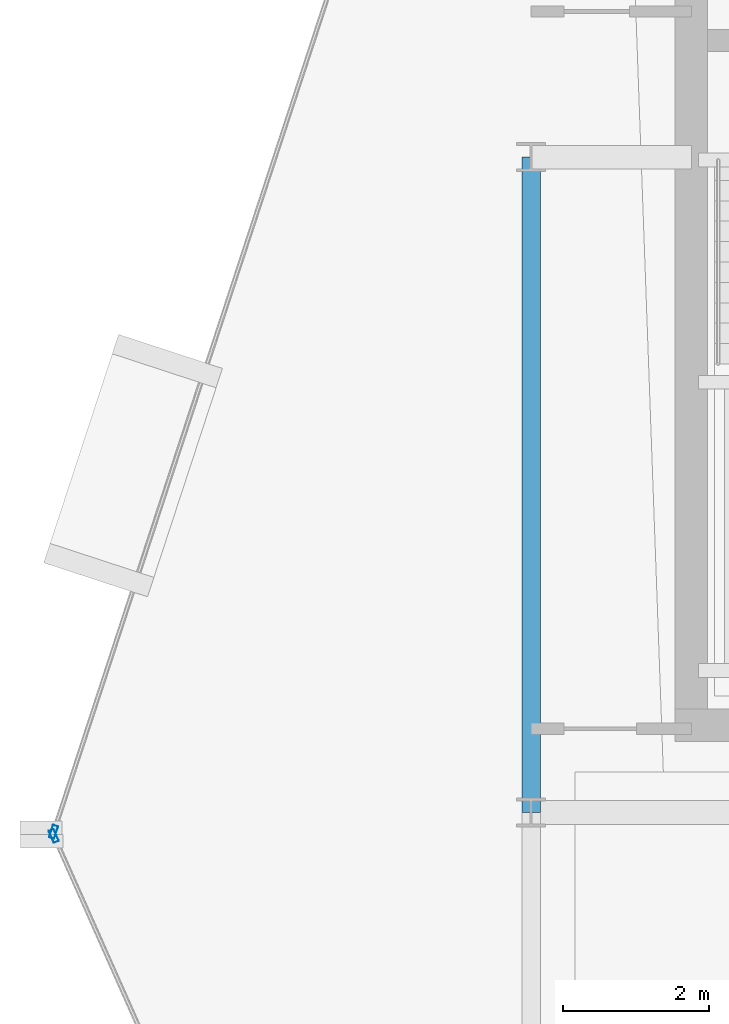
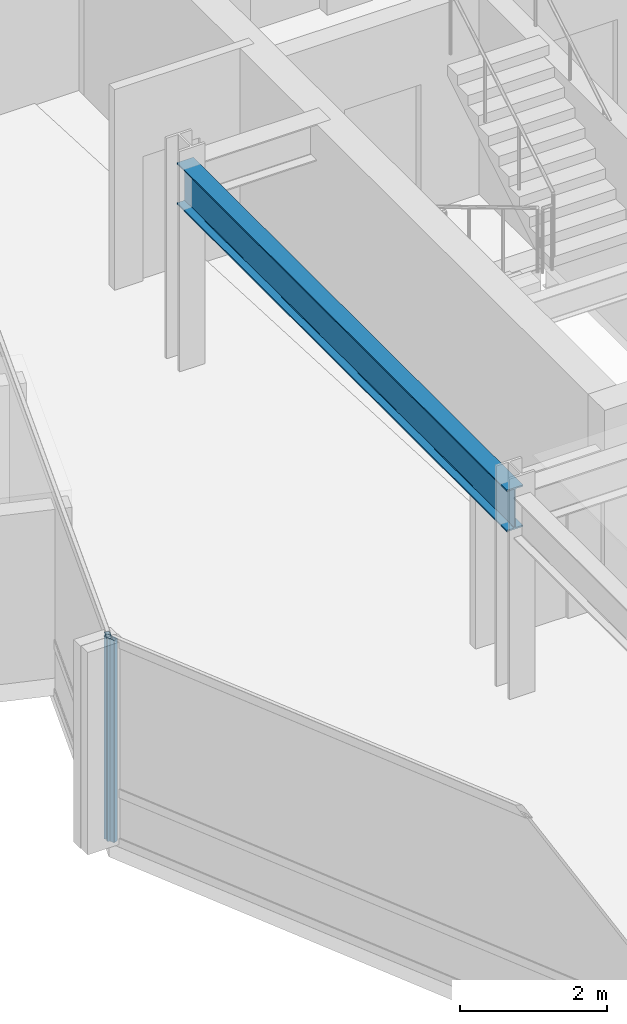
# One storey, part 6 of 27: 2 members, 1 beam, 2 elements without a shape of their own.
"""IFC4 building model written with IfcOpenShell, lengths in metres."""

from ifc_helpers import new_model, si_unit, direction, frame, origin, origin_2d, place, context, subcontext, project, spatial, hollow_rectangle, i_section, extrude, material, layer, layer_set, material_profile, profile_set, type_object, element, aggregate, save


model = new_model("IFC4")

# Units and contexts
model_context = context("Model", 3, precision=1e-05, world=origin(), true_north=direction((0.0, 1.0)))
body_context = subcontext(model_context, "Body", "Model", "MODEL_VIEW")
ifc_project = project(units=[si_unit("LENGTHUNIT", "METRE"), si_unit("AREAUNIT", "SQUARE_METRE"), si_unit("VOLUMEUNIT", "CUBIC_METRE"), si_unit("PLANEANGLEUNIT", "RADIAN"), si_unit("MASSUNIT", "GRAM", prefix="KILO")], contexts=[model_context])

# Site, building, storey
site_placement = place(None, origin())
site = spatial("IfcSite", under=ifc_project, at=site_placement, CompositionType="ELEMENT")
building_placement = place(site_placement, origin())
building = spatial("IfcBuilding", under=site, at=building_placement, Name="Solvaryn Broadcast Tower", CompositionType="ELEMENT")
storey_placement = place(building_placement, frame((0.0, 0.0, 232.10009765625)))
storey = spatial("IfcBuildingStorey", under=building, at=storey_placement, Name="L58", CompositionType="ELEMENT", Elevation=232.10009765625)

# Beam
ifc_material_1 = material(Name="Steel ASTM A992 Grade 50", Category="steel")
ifc_material_profile_1 = material_profile(ifc_material_1, i_section(OverallWidth=0.256103515625, OverallDepth=0.693115234375, WebThickness=0.014404296875, FlangeThickness=0.023681640625, FilletRadius=0.01611328125, at=origin_2d()))
ifc_profile_set_1 = profile_set([ifc_material_profile_1], Name="Steel ASTM A992 Grade 50")
beam_type = type_object("IfcBeamType", Name="BM-SP3-W27X114", PredefinedType="USERDEFINED", material=ifc_profile_set_1)
beam_placement = place(storey_placement, frame((9.0, 27.0, 3.0234375), z_axis=(0.0, 1.0, 0.0), x_axis=(-1.0, 0.0, 0.0)))
element("IfcBeam", 1, at=beam_placement, inside=storey, type_object=beam_type, Name="L58 Spandrel Beam Y (27-36 @ X=9)", ObjectType="SPANDREL", PredefinedType="USERDEFINED", context=body_context, shape_type="SweptSolid", body=[
    extrude(i_section(OverallWidth=0.256103515625, OverallDepth=0.693115234375, WebThickness=0.014404296875, FlangeThickness=0.023681640625, FilletRadius=0.01611328125, at=origin_2d()), origin(), (0.0, 0.0, 1.0), 9.0),
])

# Curtain wall, member
ifc_material_2 = material(Name="Aluminium and Terracotta Unitised Curtain Wall", Category="masonry")
ifc_layer_1 = layer(ifc_material_2, 0.199951171875)
ifc_layer_set_1 = layer_set([ifc_layer_1], Name="CW-SYS2-LOWMID")
curtain_wall_type_1 = type_object("IfcCurtainWallType", Name="CW-SYS2-LOWMID", PredefinedType="NOTDEFINED", material=ifc_layer_set_1)
curtain_wall_1_placement = place(storey_placement, origin())
curtain_wall_1 = element("IfcCurtainWall", 2, at=curtain_wall_1_placement, inside=storey, type_object=curtain_wall_type_1, Name="L58 Curtain Wall DR1", PredefinedType="NOTDEFINED")
ifc_material_3 = material(Name="Anodised Aluminium 6063-T6", Category="aluminium")
ifc_material_profile_2 = material_profile(ifc_material_3, hollow_rectangle(XDim=0.074951171875, YDim=0.179931640625, WallThickness=0.00390625, InnerFilletRadius=0.00390625, OuterFilletRadius=0.008056640625, at=origin_2d()))
ifc_profile_set_2 = profile_set([ifc_material_profile_2], Name="Anodised Aluminium 6063-T6")
member_type = type_object("IfcMemberType", Name="CW-MUL-180", PredefinedType="MULLION", material=ifc_profile_set_2)
member_1_placement = place(storey_placement, frame((2.4423828125, 26.734619140625, 0.0), z_axis=(0.0, 0.0, 1.0), x_axis=(0.950226902099, -0.311558717623, 0.0)))
member_1 = element("IfcMember", 3, at=member_1_placement, type_object=member_type, Name="CWS2 mullion 2", PredefinedType="MULLION", context=body_context, shape_type="SweptSolid", body=[
    extrude(hollow_rectangle(XDim=0.074951171875, YDim=0.179931640625, WallThickness=0.00390625, InnerFilletRadius=0.00390625, OuterFilletRadius=0.008056640625, at=origin_2d()), origin(), (0.0, 0.0, 1.0), 3.369873046875),
])
aggregate(curtain_wall_1, [member_1])

ifc_material_4 = material(Name="Aluminium and Terracotta Unitised Curtain Wall", Category="masonry")
ifc_layer_2 = layer(ifc_material_4, 0.239990234375)
ifc_layer_set_2 = layer_set([ifc_layer_2], Name="CW-SYS3-BAYBOX")
curtain_wall_type_2 = type_object("IfcCurtainWallType", Name="CW-SYS3-BAYBOX", PredefinedType="NOTDEFINED", material=ifc_layer_set_2)
curtain_wall_2_placement = place(storey_placement, origin())
curtain_wall_2 = element("IfcCurtainWall", 4, at=curtain_wall_2_placement, inside=storey, type_object=curtain_wall_type_2, Name="L58 Curtain Wall DR2", PredefinedType="NOTDEFINED")
member_2_placement = place(storey_placement, frame((2.445068359375, 26.678466796875, 0.0), z_axis=(0.0, 0.0, 1.0), x_axis=(0.913916902365, 0.405901337237, 0.0)))
member_2 = element("IfcMember", 5, at=member_2_placement, type_object=member_type, Name="CWS3 mullion 1", PredefinedType="MULLION", context=body_context, shape_type="SweptSolid", body=[
    extrude(hollow_rectangle(XDim=0.074951171875, YDim=0.179931640625, WallThickness=0.00390625, InnerFilletRadius=0.00390625, OuterFilletRadius=0.008056640625, at=origin_2d()), origin(), (0.0, 0.0, 1.0), 3.369873046875),
])
aggregate(curtain_wall_2, [member_2])

save(model, "model.ifc")
